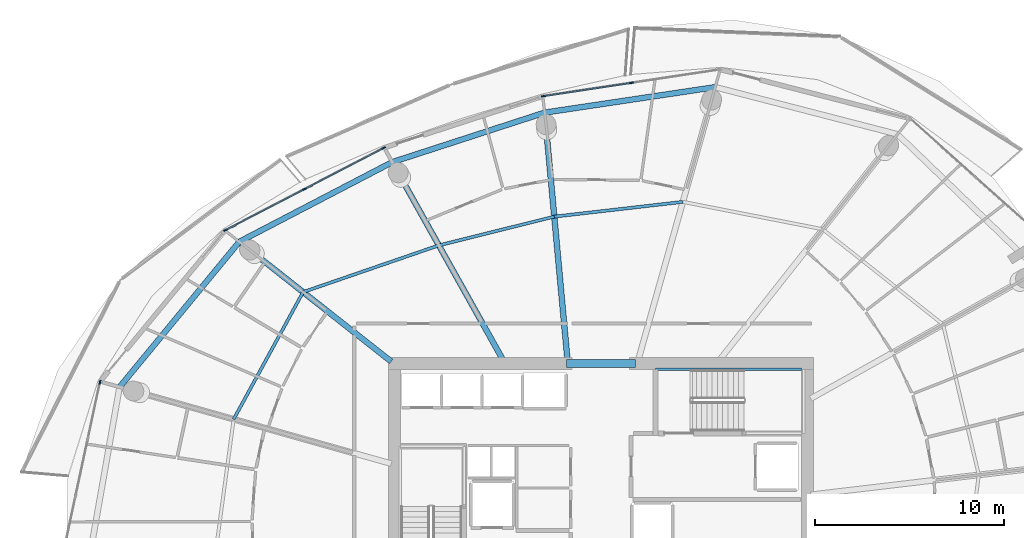
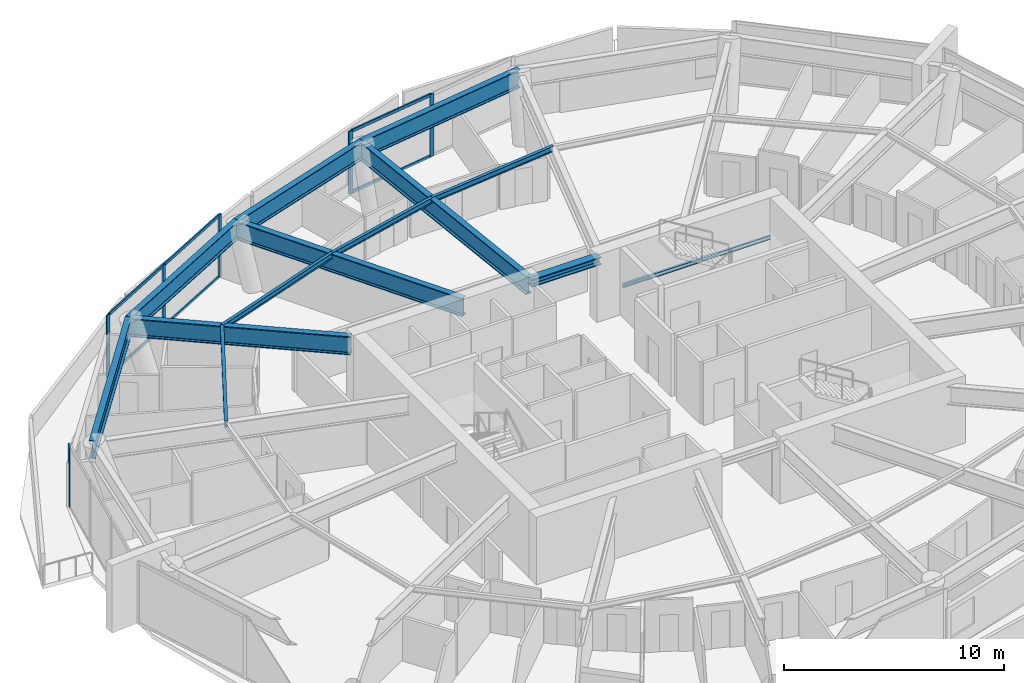
# One storey, part 7 of 20: 13 beams, 12 members, 3 elements without a shape of their own.
"""IFC4 building model written with IfcOpenShell, lengths in metres."""

from ifc_helpers import new_model, si_unit, direction, frame, origin, origin_2d, place, context, subcontext, project, spatial, rectangle, i_section, extrude, material, layer, layer_set, material_profile, profile_set, type_object, element, aggregate, save


model = new_model("IFC4")

# Units and contexts
model_context = context("Model", 3, precision=1e-05, world=origin(), true_north=direction((0.0, 1.0)))
body_context = subcontext(model_context, "Body", "Model", "MODEL_VIEW")
ifc_project = project(units=[si_unit("LENGTHUNIT", "METRE"), si_unit("AREAUNIT", "SQUARE_METRE"), si_unit("VOLUMEUNIT", "CUBIC_METRE"), si_unit("PLANEANGLEUNIT", "RADIAN"), si_unit("MASSUNIT", "GRAM", prefix="KILO")], contexts=[model_context])

# Site, building, storey
site_placement = place(None, origin())
site = spatial("IfcSite", under=ifc_project, at=site_placement, CompositionType="ELEMENT")
building_placement = place(site_placement, origin())
building = spatial("IfcBuilding", under=site, at=building_placement, Name="Kazma Halo Residences", CompositionType="ELEMENT")
storey_placement = place(building_placement, frame((0.0, 0.0, 221.550048828125)))
storey = spatial("IfcBuildingStorey", under=building, at=storey_placement, Name="L56", CompositionType="ELEMENT", Elevation=221.550048828125)

# Beams
ifc_material_1 = material(Name="Steel S355", Category="steel")
ifc_material_profile_1 = material_profile(ifc_material_1, i_section(OverallWidth=0.408935546875, OverallDepth=0.425048828125, WebThickness=0.03271484375, FlangeThickness=0.052490234375, FilletRadius=0.02001953125, at=origin_2d()), Name="W360x421")
ifc_profile_set_1 = profile_set([ifc_material_profile_1], Name="Steel S355")
beam_type_1 = type_object("IfcBeamType", Name="BM-CORE-W360H", PredefinedType="BEAM", material=ifc_profile_set_1)
beam_1_placement = place(storey_placement, frame((46.60009765625, 50.324951171875, 3.257568359375), z_axis=(1.0, 0.0, 0.0), x_axis=(0.0, 1.0, 0.0)))
element("IfcBeam", 1, at=beam_1_placement, inside=storey, type_object=beam_type_1, Name="L56 core coupling beam N", PredefinedType="BEAM", context=body_context, shape_type="SweptSolid", body=[
    extrude(i_section(OverallWidth=0.408935546875, OverallDepth=0.425048828125, WebThickness=0.03271484375, FlangeThickness=0.052490234375, FilletRadius=0.02001953125, at=origin_2d()), origin(), (0.0, 0.0, 1.0), 3.64990234375),
])
ifc_material_profile_2 = material_profile(ifc_material_1, i_section(OverallWidth=0.1650390625, OverallDepth=0.31005859375, WebThickness=0.005859375, FlangeThickness=0.009765625, FilletRadius=0.011962890625, at=origin_2d()), Name="W310x38.7")
ifc_profile_set_2 = profile_set([ifc_material_profile_2], Name="Steel S355")
beam_type_2 = type_object("IfcBeamType", Name="BM-SEC-W310B", PredefinedType="JOIST", material=ifc_profile_set_2)
beam_2_placement = place(storey_placement, frame((52.7666015625, 58.901611328125, 3.31494140625), z_axis=(-0.993468310239, -0.114108354431, 0.0), x_axis=(0.114108354431, -0.993468310239, 0.0)))
element("IfcBeam", 2, at=beam_2_placement, inside=storey, type_object=beam_type_2, Name="L56 circumferential floor joist 03", PredefinedType="JOIST", context=body_context, shape_type="SweptSolid", body=[
    extrude(i_section(OverallWidth=0.1650390625, OverallDepth=0.31005859375, WebThickness=0.005859375, FlangeThickness=0.009765625, FilletRadius=0.011962890625, at=origin_2d()), origin(), (0.0, 0.0, 1.0), 6.86376953125),
])
beam_3_placement = place(storey_placement, frame((45.94775390625, 58.118408203125, 3.31494140625), z_axis=(-0.97039921521, -0.241506445296, 0.0), x_axis=(0.241506445296, -0.97039921521, 0.0)))
element("IfcBeam", 3, at=beam_3_placement, inside=storey, type_object=beam_type_2, Name="L56 circumferential floor joist 04", PredefinedType="JOIST", context=body_context, shape_type="SweptSolid", body=[
    extrude(i_section(OverallWidth=0.1650390625, OverallDepth=0.31005859375, WebThickness=0.005859375, FlangeThickness=0.009765625, FilletRadius=0.011962890625, at=origin_2d()), origin(), (0.0, 0.0, 1.0), 6.30810546875),
])
beam_4_placement = place(storey_placement, frame((39.826416015625, 56.594970703125, 3.31494140625), z_axis=(-0.945602455776, -0.325324446715, 0.0), x_axis=(0.325324446715, -0.945602455776, 0.0)))
element("IfcBeam", 4, at=beam_4_placement, inside=storey, type_object=beam_type_2, Name="L56 circumferential floor joist 05", PredefinedType="JOIST", context=body_context, shape_type="SweptSolid", body=[
    extrude(i_section(OverallWidth=0.1650390625, OverallDepth=0.31005859375, WebThickness=0.005859375, FlangeThickness=0.009765625, FilletRadius=0.011962890625, at=origin_2d()), origin(), (0.0, 0.0, 1.0), 7.612548828125),
])
beam_5_placement = place(storey_placement, frame((32.6279296875, 54.118408203125, 3.31494140625), z_axis=(-0.479288358154, -0.877657489991, 0.0), x_axis=(0.877657489991, -0.479288358154, 0.0)))
element("IfcBeam", 5, at=beam_5_placement, inside=storey, type_object=beam_type_2, Name="L56 circumferential floor joist 06", PredefinedType="JOIST", context=body_context, shape_type="SweptSolid", body=[
    extrude(i_section(OverallWidth=0.1650390625, OverallDepth=0.31005859375, WebThickness=0.005859375, FlangeThickness=0.009765625, FilletRadius=0.011962890625, at=origin_2d()), origin(), (0.0, 0.0, 1.0), 7.6845703125),
])
ifc_material_profile_3 = material_profile(ifc_material_1, i_section(OverallWidth=0.302001953125, OverallDepth=1.01806640625, WebThickness=0.021484375, FlangeThickness=0.049072265625, FilletRadius=0.028076171875, at=origin_2d()), Name="W1000x443")
ifc_profile_set_3 = profile_set([ifc_material_profile_3], Name="Steel S355")
beam_type_3 = type_object("IfcBeamType", Name="BM-TRANS-W1000A", PredefinedType="BEAM", material=ifc_profile_set_3)
beam_6_placement = place(storey_placement, frame((46.64990234375, 50.5, 2.9609375), z_axis=(-0.091782249057, 0.995779101386, 0.0), x_axis=(-0.995779101386, -0.091782249057, 0.0)))
element("IfcBeam", 6, at=beam_6_placement, inside=storey, type_object=beam_type_3, Name="L56 podium radial transfer girder 04", PredefinedType="BEAM", context=body_context, shape_type="SweptSolid", body=[
    extrude(i_section(OverallWidth=0.302001953125, OverallDepth=1.01806640625, WebThickness=0.021484375, FlangeThickness=0.049072265625, FilletRadius=0.028076171875, at=origin_2d()), origin(), (0.0, 0.0, 1.0), 13.19091796875),
])
beam_7_placement = place(storey_placement, frame((43.23974609375, 50.5, 2.9609375), z_axis=(-0.488626207297, 0.872493226073, 0.0), x_axis=(-0.872493226073, -0.488626207297, 0.0)))
element("IfcBeam", 7, at=beam_7_placement, inside=storey, type_object=beam_type_3, Name="L56 podium radial transfer girder 05", PredefinedType="BEAM", context=body_context, shape_type="SweptSolid", body=[
    extrude(i_section(OverallWidth=0.302001953125, OverallDepth=1.01806640625, WebThickness=0.021484375, FlangeThickness=0.049072265625, FilletRadius=0.028076171875, at=origin_2d()), origin(), (0.0, 0.0, 1.0), 12.0439453125),
])
beam_8_placement = place(storey_placement, frame((37.300048828125, 50.435302734375, 2.9609375), z_axis=(-0.785321239434, 0.619088483897, 0.0), x_axis=(-0.619088483897, -0.785321239434, 0.0)))
element("IfcBeam", 8, at=beam_8_placement, inside=storey, type_object=beam_type_3, Name="L56 podium radial transfer girder 06", PredefinedType="BEAM", context=body_context, shape_type="SweptSolid", body=[
    extrude(i_section(OverallWidth=0.302001953125, OverallDepth=1.01806640625, WebThickness=0.021484375, FlangeThickness=0.049072265625, FilletRadius=0.028076171875, at=origin_2d()), origin(), (0.0, 0.0, 1.0), 10.257080078125),
])
ifc_material_profile_4 = material_profile(ifc_material_1, i_section(OverallWidth=0.300048828125, OverallDepth=1.0, WebThickness=0.01904296875, FlangeThickness=0.0400390625, FilletRadius=0.02587890625, at=origin_2d()), Name="W1000x371")
ifc_profile_set_4 = profile_set([ifc_material_profile_4], Name="Steel S355")
beam_type_4 = type_object("IfcBeamType", Name="BM-TRANS-W1000B", PredefinedType="BEAM", material=ifc_profile_set_4)
beam_9_placement = place(storey_placement, frame((54.482666015625, 64.985595703125, 2.969970703125), z_axis=(-0.989035230402, -0.147679765114, 0.0), x_axis=(0.147679765114, -0.989035230402, 0.0)))
element("IfcBeam", 9, at=beam_9_placement, inside=storey, type_object=beam_type_4, Name="L56 perimeter ring beam 03", PredefinedType="BEAM", context=body_context, shape_type="SweptSolid", body=[
    extrude(i_section(OverallWidth=0.300048828125, OverallDepth=1.0, WebThickness=0.01904296875, FlangeThickness=0.0400390625, FilletRadius=0.02587890625, at=origin_2d()), origin(), (0.0, 0.0, 1.0), 9.143798828125),
])
beam_10_placement = place(storey_placement, frame((45.439208984375, 63.63525390625, 2.969970703125), z_axis=(-0.951051374236, -0.309032819556, 0.0), x_axis=(0.309032819556, -0.951051374236, 0.0)))
element("IfcBeam", 10, at=beam_10_placement, inside=storey, type_object=beam_type_4, Name="L56 perimeter ring beam 04", PredefinedType="BEAM", context=body_context, shape_type="SweptSolid", body=[
    extrude(i_section(OverallWidth=0.300048828125, OverallDepth=1.0, WebThickness=0.01904296875, FlangeThickness=0.0400390625, FilletRadius=0.02587890625, at=origin_2d()), origin(), (0.0, 0.0, 1.0), 8.50048828125),
])
beam_11_placement = place(storey_placement, frame((37.354736328125, 61.00830078125, 2.969970703125), z_axis=(-0.886958293318, -0.46184952735, 0.0), x_axis=(0.46184952735, -0.886958293318, 0.0)))
element("IfcBeam", 11, at=beam_11_placement, inside=storey, type_object=beam_type_4, Name="L56 perimeter ring beam 05", PredefinedType="BEAM", context=body_context, shape_type="SweptSolid", body=[
    extrude(i_section(OverallWidth=0.300048828125, OverallDepth=1.0, WebThickness=0.01904296875, FlangeThickness=0.0400390625, FilletRadius=0.02587890625, at=origin_2d()), origin(), (0.0, 0.0, 1.0), 9.1435546875),
])
beam_12_placement = place(storey_placement, frame((29.244873046875, 56.785400390625, 2.969970703125), z_axis=(-0.636004604932, -0.771685261299, 0.0), x_axis=(0.771685261299, -0.636004604932, 0.0)))
element("IfcBeam", 12, at=beam_12_placement, inside=storey, type_object=beam_type_4, Name="L56 perimeter ring beam 06", PredefinedType="BEAM", context=body_context, shape_type="SweptSolid", body=[
    extrude(i_section(OverallWidth=0.300048828125, OverallDepth=1.0, WebThickness=0.01904296875, FlangeThickness=0.0400390625, FilletRadius=0.02587890625, at=origin_2d()), origin(), (0.0, 0.0, 1.0), 9.98486328125),
])
ifc_material_profile_5 = material_profile(ifc_material_1, i_section(OverallWidth=0.133056640625, OverallDepth=0.20703125, WebThickness=0.005859375, FlangeThickness=0.00830078125, FilletRadius=0.010009765625, at=origin_2d()), Name="W200x26.6")
ifc_profile_set_5 = profile_set([ifc_material_profile_5], Name="Steel S355")
beam_type_5 = type_object("IfcBeamType", Name="BM-TRIM-W200", PredefinedType="BEAM", material=ifc_profile_set_5)
beam_13_placement = place(storey_placement, frame((51.31005859375, 50.02001953125, 1.570068359375), z_axis=(1.0, 0.0, 0.0), x_axis=(0.0, 1.0, 0.0)))
element("IfcBeam", 13, at=beam_13_placement, inside=storey, type_object=beam_type_5, Name="L56 ST-02 landing north wall ledger", PredefinedType="BEAM", context=body_context, shape_type="SweptSolid", body=[
    extrude(i_section(OverallWidth=0.133056640625, OverallDepth=0.20703125, WebThickness=0.005859375, FlangeThickness=0.00830078125, FilletRadius=0.010009765625, at=origin_2d()), origin(), (0.0, 0.0, 1.0), 7.760009765625),
])

# Curtain wall, members
ifc_material_2 = material(Name="Aluminium AW-6063 T6 and Triple-Silver Low-E Glass", Category="aluminium")
ifc_layer = layer(ifc_material_2, 0.219970703125)
ifc_layer_set = layer_set([ifc_layer], Name="Aluminium AW-6063 T6 and Triple-Silver Low-E Glass")
curtain_wall_type = type_object("IfcCurtainWallType", Name="CW-SYS-4", PredefinedType="NOTDEFINED", material=ifc_layer_set)
curtain_wall_1_placement = place(storey_placement, origin())
curtain_wall_1 = element("IfcCurtainWall", 14, at=curtain_wall_1_placement, inside=storey, type_object=curtain_wall_type, Name="L56 unitised curtain wall B03", PredefinedType="NOTDEFINED")
ifc_material_3 = material(Name="Aluminium AW-6063 T6", Category="aluminium")
ifc_material_profile_6 = material_profile(ifc_material_3, rectangle(XDim=0.074951171875, YDim=0.219970703125, at=origin_2d()), Name="CWM-75x220")
ifc_profile_set_6 = profile_set([ifc_material_profile_6], Name="Aluminium AW-6063 T6")
member_type_1 = type_object("IfcMemberType", Name="CW-SYS-4-MUL", PredefinedType="MULLION", material=ifc_profile_set_6)
member_1_placement = place(storey_placement, frame((50.041259765625, 65.211181640625, 0.0), z_axis=(0.0, 0.0, 1.0), x_axis=(0.148772639188, -0.988871428361, 0.0)))
member_1 = element("IfcMember", 15, at=member_1_placement, type_object=member_type_1, Name="CWS-4 mullion 2", PredefinedType="MULLION", context=body_context, shape_type="SweptSolid", body=[
    extrude(rectangle(XDim=0.074951171875, YDim=0.219970703125, at=origin_2d()), origin(), (0.0, 0.0, 1.0), 3.469970703125),
])
member_2_placement = place(storey_placement, frame((45.373779296875, 64.509033203125, 0.0), z_axis=(0.0, 0.0, 1.0), x_axis=(0.148772639188, -0.988871428361, 0.0)))
member_2 = element("IfcMember", 16, at=member_2_placement, type_object=member_type_1, Name="CWS-4 mullion 3", PredefinedType="MULLION", context=body_context, shape_type="SweptSolid", body=[
    extrude(rectangle(XDim=0.074951171875, YDim=0.219970703125, at=origin_2d()), origin(), (0.0, 0.0, 1.0), 3.469970703125),
])

curtain_wall_2_placement = place(storey_placement, origin())
curtain_wall_2 = element("IfcCurtainWall", 17, at=curtain_wall_2_placement, inside=storey, type_object=curtain_wall_type, Name="L56 unitised curtain wall B05", PredefinedType="NOTDEFINED")
member_3_placement = place(storey_placement, frame((36.894287109375, 61.75390625, 0.0), z_axis=(0.0, 0.0, 1.0), x_axis=(0.460873851097, -0.887465657575, 0.0)))
member_3 = element("IfcMember", 18, at=member_3_placement, type_object=member_type_1, Name="CWS-4 mullion 1", PredefinedType="MULLION", context=body_context, shape_type="SweptSolid", body=[
    extrude(rectangle(XDim=0.074951171875, YDim=0.219970703125, at=origin_2d()), origin(), (0.0, 0.0, 1.0), 3.469970703125),
])
member_4_placement = place(storey_placement, frame((32.705322265625, 59.578369140625, 0.0), z_axis=(0.0, 0.0, 1.0), x_axis=(0.460873851097, -0.887465657575, 0.0)))
member_4 = element("IfcMember", 19, at=member_4_placement, type_object=member_type_1, Name="CWS-4 mullion 2", PredefinedType="MULLION", context=body_context, shape_type="SweptSolid", body=[
    extrude(rectangle(XDim=0.074951171875, YDim=0.219970703125, at=origin_2d()), origin(), (0.0, 0.0, 1.0), 3.469970703125),
])
member_5_placement = place(storey_placement, frame((28.5166015625, 57.403076171875, 0.0), z_axis=(0.0, 0.0, 1.0), x_axis=(0.460873851097, -0.887465657575, 0.0)))
member_5 = element("IfcMember", 20, at=member_5_placement, type_object=member_type_1, Name="CWS-4 mullion 3", PredefinedType="MULLION", context=body_context, shape_type="SweptSolid", body=[
    extrude(rectangle(XDim=0.074951171875, YDim=0.219970703125, at=origin_2d()), origin(), (0.0, 0.0, 1.0), 3.469970703125),
])

# Curtain wall, member
curtain_wall_3_placement = place(storey_placement, origin())
curtain_wall_3 = element("IfcCurtainWall", 21, at=curtain_wall_3_placement, inside=storey, type_object=curtain_wall_type, Name="L56 unitised curtain wall B07", PredefinedType="NOTDEFINED")
member_6_placement = place(storey_placement, frame((21.8564453125, 49.334228515625, 0.0), z_axis=(0.0, 0.0, 1.0), x_axis=(0.977768017212, -0.209689543175, 0.0)))
member_6 = element("IfcMember", 22, at=member_6_placement, type_object=member_type_1, Name="CWS-4 mullion 1", PredefinedType="MULLION", context=body_context, shape_type="SweptSolid", body=[
    extrude(rectangle(XDim=0.074951171875, YDim=0.219970703125, at=origin_2d()), origin(), (0.0, 0.0, 1.0), 3.469970703125),
])
aggregate(curtain_wall_3, [member_6])

# Member
ifc_material_profile_7 = material_profile(ifc_material_3, rectangle(XDim=0.074951171875, YDim=0.1650390625, at=origin_2d()), Name="CWT-75x165")
ifc_profile_set_7 = profile_set([ifc_material_profile_7], Name="Aluminium AW-6063 T6")
member_type_2 = type_object("IfcMemberType", Name="CW-SYS-4-TRN", PredefinedType="USERDEFINED", material=ifc_profile_set_7)
member_7_placement = place(storey_placement, frame((50.004150390625, 65.20556640625, 0.037353515625), z_axis=(-0.988876518566, -0.148738801357, 0.0), x_axis=(0.148738801357, -0.988876518566, 0.0)))
member_7 = element("IfcMember", 23, at=member_7_placement, type_object=member_type_2, Name="CWS-4 transom 2.1", ObjectType="TRANSOM", PredefinedType="USERDEFINED", context=body_context, shape_type="SweptSolid", body=[
    extrude(rectangle(XDim=0.074951171875, YDim=0.1650390625, at=origin_2d()), origin(), (0.0, 0.0, 1.0), 4.645263671875),
])

member_8_placement = place(storey_placement, frame((50.004150390625, 65.20556640625, 3.432373046875), z_axis=(-0.988876518566, -0.148738801357, 0.0), x_axis=(0.148738801357, -0.988876518566, 0.0)))
member_8 = element("IfcMember", 24, at=member_8_placement, type_object=member_type_2, Name="CWS-4 transom 2.2", ObjectType="TRANSOM", PredefinedType="USERDEFINED", context=body_context, shape_type="SweptSolid", body=[
    extrude(rectangle(XDim=0.074951171875, YDim=0.1650390625, at=origin_2d()), origin(), (0.0, 0.0, 1.0), 4.645263671875),
])

aggregate(curtain_wall_1, [member_1, member_2, member_7, member_8])

member_9_placement = place(storey_placement, frame((36.861083984375, 61.736572265625, 0.037353515625), z_axis=(-0.887457630519, -0.460889307789, 0.0), x_axis=(0.460889307789, -0.887457630519, 0.0)))
member_9 = element("IfcMember", 25, at=member_9_placement, type_object=member_type_2, Name="CWS-4 transom 1.1", ObjectType="TRANSOM", PredefinedType="USERDEFINED", context=body_context, shape_type="SweptSolid", body=[
    extrude(rectangle(XDim=0.074951171875, YDim=0.1650390625, at=origin_2d()), origin(), (0.0, 0.0, 1.0), 4.64501953125),
])

member_10_placement = place(storey_placement, frame((36.861083984375, 61.736572265625, 3.432373046875), z_axis=(-0.887457630519, -0.460889307789, 0.0), x_axis=(0.460889307789, -0.887457630519, 0.0)))
member_10 = element("IfcMember", 26, at=member_10_placement, type_object=member_type_2, Name="CWS-4 transom 1.2", ObjectType="TRANSOM", PredefinedType="USERDEFINED", context=body_context, shape_type="SweptSolid", body=[
    extrude(rectangle(XDim=0.074951171875, YDim=0.1650390625, at=origin_2d()), origin(), (0.0, 0.0, 1.0), 4.64501953125),
])

member_11_placement = place(storey_placement, frame((32.672119140625, 59.561279296875, 0.037353515625), z_axis=(-0.887457630519, -0.460889307789, 0.0), x_axis=(0.460889307789, -0.887457630519, 0.0)))
member_11 = element("IfcMember", 27, at=member_11_placement, type_object=member_type_2, Name="CWS-4 transom 2.1", ObjectType="TRANSOM", PredefinedType="USERDEFINED", context=body_context, shape_type="SweptSolid", body=[
    extrude(rectangle(XDim=0.074951171875, YDim=0.1650390625, at=origin_2d()), origin(), (0.0, 0.0, 1.0), 4.64501953125),
])

member_12_placement = place(storey_placement, frame((32.672119140625, 59.561279296875, 3.432373046875), z_axis=(-0.887457630519, -0.460889307789, 0.0), x_axis=(0.460889307789, -0.887457630519, 0.0)))
member_12 = element("IfcMember", 28, at=member_12_placement, type_object=member_type_2, Name="CWS-4 transom 2.2", ObjectType="TRANSOM", PredefinedType="USERDEFINED", context=body_context, shape_type="SweptSolid", body=[
    extrude(rectangle(XDim=0.074951171875, YDim=0.1650390625, at=origin_2d()), origin(), (0.0, 0.0, 1.0), 4.64501953125),
])

aggregate(curtain_wall_2, [member_3, member_4, member_5, member_9, member_10, member_11, member_12])

save(model, "model.ifc")
